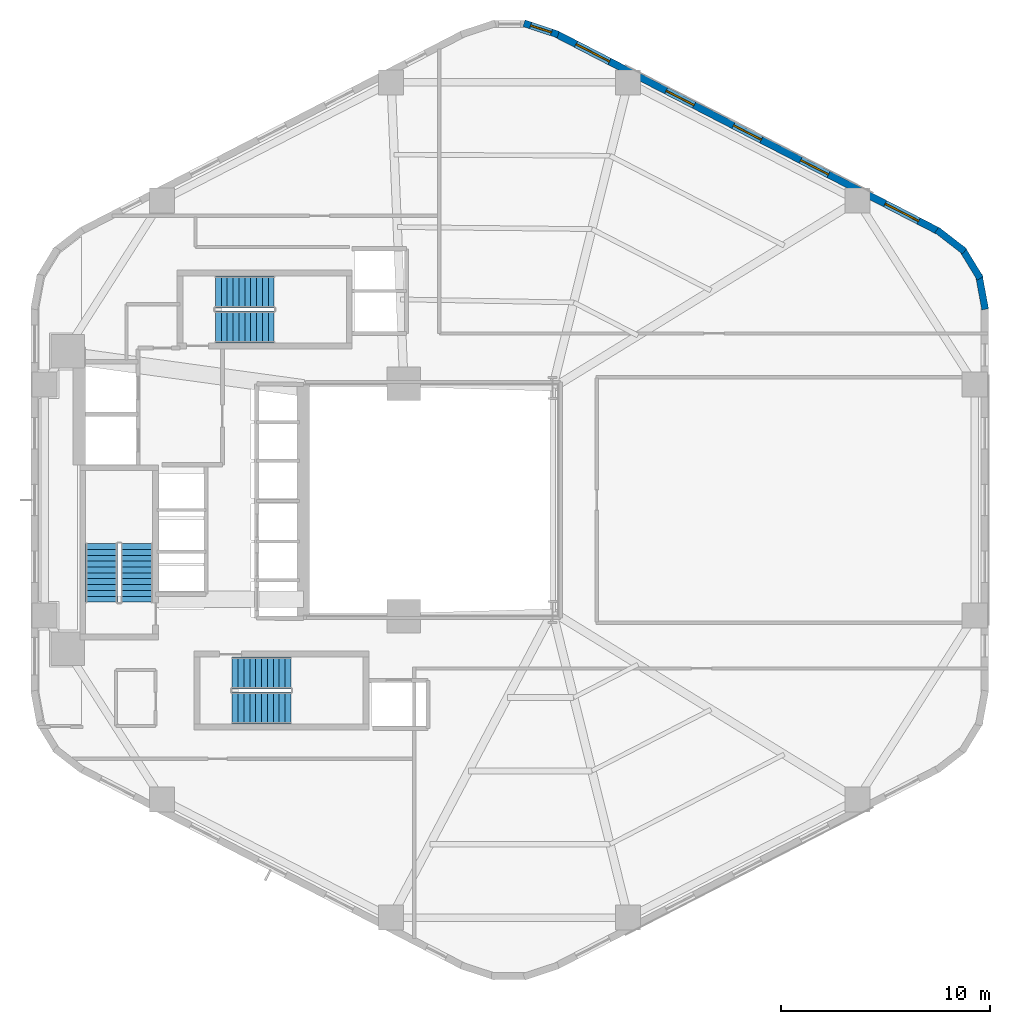
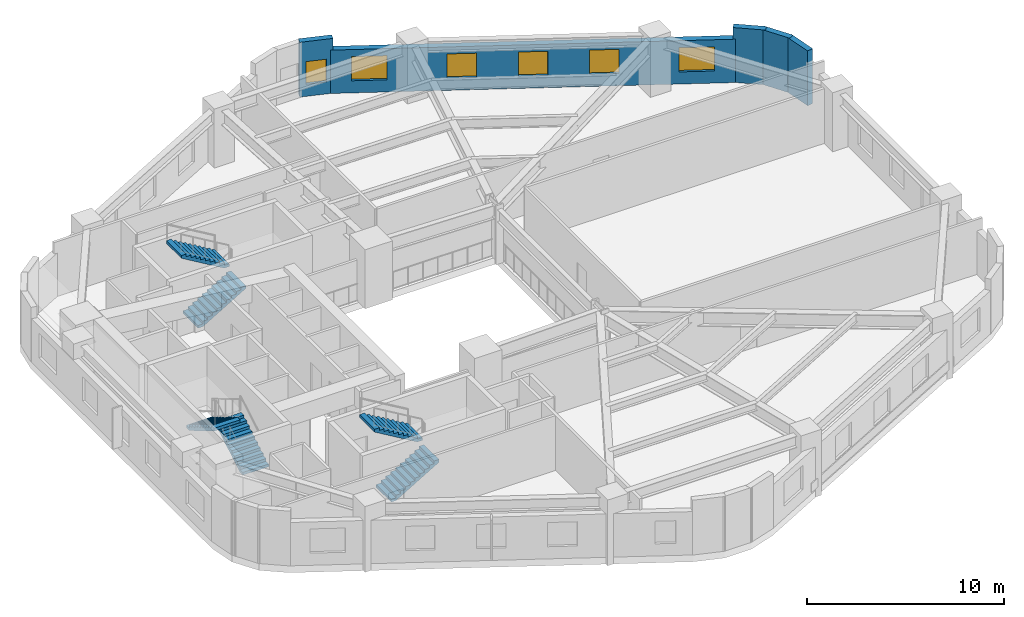
# One storey, part 5 of 7: 6 stair flights, 6 windows, 5 walls, 6 openings, 3 elements without a shape of their own.
"""IFC4 building model written with IfcOpenShell, lengths in metres."""

from ifc_helpers import new_model, si_unit, direction, frame, frame_2d, origin, place, context, subcontext, project, spatial, polyline, rectangle, outline, extrude, material, layer, layer_set, type_object, element, fill, aggregate, save


model = new_model("IFC4")

# Units and contexts
model_context = context("Model", 3, precision=1e-05, world=origin(), true_north=direction((0.0, 1.0)))
body_context = subcontext(model_context, "Body", "Model", "MODEL_VIEW")
ifc_project = project(units=[si_unit("LENGTHUNIT", "METRE"), si_unit("AREAUNIT", "SQUARE_METRE"), si_unit("VOLUMEUNIT", "CUBIC_METRE"), si_unit("PLANEANGLEUNIT", "RADIAN"), si_unit("MASSUNIT", "GRAM", prefix="KILO"), si_unit("THERMODYNAMICTEMPERATUREUNIT", "KELVIN"), si_unit("POWERUNIT", "WATT")], contexts=[model_context])

# Site, building, storey
site_placement = place(None, origin())
site = spatial("IfcSite", under=ifc_project, at=site_placement, CompositionType="ELEMENT")
building_placement = place(site_placement, origin())
building = spatial("IfcBuilding", under=site, at=building_placement, Name="Skarre Station Tower", CompositionType="ELEMENT")
storey_placement = place(building_placement, frame((0.0, 0.0, 27.0)))
storey = spatial("IfcBuildingStorey", under=building, at=storey_placement, Name="L06", CompositionType="ELEMENT", Elevation=27.0)

# Wall, openings, windows
ifc_material_1 = material(Name="Precast concrete C45/55", Category="concrete")
ifc_layer_1 = layer(ifc_material_1, 0.340087890625, Name="Precast concrete C45/55")
ifc_layer_set_1 = layer_set([ifc_layer_1], Name="Precast concrete C45/55")
wall_type_1 = type_object("IfcWallType", Name="Nordic Honed Precast Facet Wall 340", PredefinedType="STANDARD", material=ifc_layer_set_1)
wall_1_placement = place(storey_placement, frame((39.631103515625, 46.257080078125, 0.0), z_axis=(0.0, 0.0, 1.0), x_axis=(0.888634413993, -0.458616264721, 0.0)))
wall_1 = element("IfcWall", 1, at=wall_1_placement, inside=storey, type_object=wall_type_1, Name="L06 Facet 0 Nordic Precast Masonry Wall", PredefinedType="STANDARD", context=body_context, shape_type="SweptSolid", body=[
    extrude(rectangle(XDim=20.53125, YDim=0.340087890625, at=frame_2d((10.265625, 0.0))), origin(), (0.0, 0.0, 1.0), 2.68408203125),
])
opening_1_placement = place(wall_1_placement, frame((1.05810546875, 0.0, 0.75)))
opening_1 = element("IfcOpeningElement", 2, at=opening_1_placement, cuts=wall_1, Name="Opening WN-Z1A", PredefinedType="OPENING", context=body_context, shape_type="SweptSolid", body=[
    extrude(rectangle(XDim=1.800048828125, YDim=1.5, at=frame_2d((0.89990234375, 0.75))), frame((0.0, 0.179931640625, 0.0), z_axis=(0.0, -1.0, 0.0), x_axis=(1.0, 0.0, 0.0)), (0.0, 0.0, 1.0), 0.360107421875),
])
opening_2_placement = place(wall_1_placement, frame((5.903076171875, 0.0, 0.75)))
opening_2 = element("IfcOpeningElement", 3, at=opening_2_placement, cuts=wall_1, Name="Opening WN-Z1B", PredefinedType="OPENING", context=body_context, shape_type="SweptSolid", body=[
    extrude(rectangle(XDim=1.5, YDim=1.5, at=frame_2d((0.75, 0.75))), frame((0.0, 0.179931640625, 0.0), z_axis=(0.0, -1.0, 0.0), x_axis=(1.0, 0.0, 0.0)), (0.0, 0.0, 1.0), 0.360107421875),
])
opening_3_placement = place(wall_1_placement, frame((9.51611328125, 0.0, 0.75)))
opening_3 = element("IfcOpeningElement", 4, at=opening_3_placement, cuts=wall_1, Name="Opening WN-Z1B", PredefinedType="OPENING", context=body_context, shape_type="SweptSolid", body=[
    extrude(rectangle(XDim=1.5, YDim=1.5, at=frame_2d((0.75, 0.75))), frame((0.0, 0.179931640625, 0.0), z_axis=(0.0, -1.0, 0.0), x_axis=(1.0, 0.0, 0.0)), (0.0, 0.0, 1.0), 0.360107421875),
])
opening_4_placement = place(wall_1_placement, frame((13.12890625, 0.0, 0.75)))
opening_4 = element("IfcOpeningElement", 5, at=opening_4_placement, cuts=wall_1, Name="Opening WN-Z1B", PredefinedType="OPENING", context=body_context, shape_type="SweptSolid", body=[
    extrude(rectangle(XDim=1.5, YDim=1.5, at=frame_2d((0.75, 0.75))), frame((0.0, 0.179931640625, 0.0), z_axis=(0.0, -1.0, 0.0), x_axis=(1.0, 0.0, 0.0)), (0.0, 0.0, 1.0), 0.360107421875),
])
opening_5_placement = place(wall_1_placement, frame((17.673095703125, 0.0, 0.75)))
opening_5 = element("IfcOpeningElement", 6, at=opening_5_placement, cuts=wall_1, Name="Opening WN-Z1A", PredefinedType="OPENING", context=body_context, shape_type="SweptSolid", body=[
    extrude(rectangle(XDim=1.800048828125, YDim=1.5, at=frame_2d((0.89990234375, 0.75))), frame((0.0, 0.179931640625, 0.0), z_axis=(0.0, -1.0, 0.0), x_axis=(1.0, 0.0, 0.0)), (0.0, 0.0, 1.0), 0.360107421875),
])
ifc_material_2 = material(Name="Low-Iron Triple Glazing with Bronze Anodized Frame", Category="glass")
window_type_1 = type_object("IfcWindowType", Name="Nordic Punched Triple-Glazed Window 1500x1500", PartitioningType="SINGLE_PANEL", PredefinedType="WINDOW", material=ifc_material_2)
window_1_placement = place(opening_2_placement, origin())
window_1 = element("IfcWindow", 7, at=window_1_placement, inside=storey, type_object=window_type_1, Name="L06 Facade Window WL-FAC-L06-F0-2", OverallHeight=1.5, OverallWidth=1.5, PartitioningType="SINGLE_PANEL", PredefinedType="WINDOW", context=body_context, shape_type="SweptSolid", body=[
    extrude(rectangle(XDim=1.5, YDim=1.5, at=frame_2d((0.75, 0.75))), frame((0.0, 0.030029296875, 0.0), z_axis=(0.0, -1.0, 0.0), x_axis=(1.0, 0.0, 0.0)), (0.0, 0.0, 1.0), 0.06005859375),
])
fill(opening_2, window_1)
window_2_placement = place(opening_3_placement, origin())
window_2 = element("IfcWindow", 8, at=window_2_placement, inside=storey, type_object=window_type_1, Name="L06 Facade Window WL-FAC-L06-F0-3", OverallHeight=1.5, OverallWidth=1.5, PartitioningType="SINGLE_PANEL", PredefinedType="WINDOW", context=body_context, shape_type="SweptSolid", body=[
    extrude(rectangle(XDim=1.5, YDim=1.5, at=frame_2d((0.75, 0.75))), frame((0.0, 0.030029296875, 0.0), z_axis=(0.0, -1.0, 0.0), x_axis=(1.0, 0.0, 0.0)), (0.0, 0.0, 1.0), 0.06005859375),
])
fill(opening_3, window_2)
window_3_placement = place(opening_4_placement, origin())
window_3 = element("IfcWindow", 9, at=window_3_placement, inside=storey, type_object=window_type_1, Name="L06 Facade Window WL-FAC-L06-F0-4", OverallHeight=1.5, OverallWidth=1.5, PartitioningType="SINGLE_PANEL", PredefinedType="WINDOW", context=body_context, shape_type="SweptSolid", body=[
    extrude(rectangle(XDim=1.5, YDim=1.5, at=frame_2d((0.75, 0.75))), frame((0.0, 0.030029296875, 0.0), z_axis=(0.0, -1.0, 0.0), x_axis=(1.0, 0.0, 0.0)), (0.0, 0.0, 1.0), 0.06005859375),
])
fill(opening_4, window_3)
window_type_2 = type_object("IfcWindowType", Name="Nordic Punched Triple-Glazed Window 1800x1500", PartitioningType="SINGLE_PANEL", PredefinedType="WINDOW", material=ifc_material_2)
window_4_placement = place(opening_1_placement, origin())
window_4 = element("IfcWindow", 10, at=window_4_placement, inside=storey, type_object=window_type_2, Name="L06 Facade Window WL-FAC-L06-F0-1", OverallHeight=1.5, OverallWidth=1.800048828125, PartitioningType="SINGLE_PANEL", PredefinedType="WINDOW", context=body_context, shape_type="SweptSolid", body=[
    extrude(rectangle(XDim=1.800048828125, YDim=1.5, at=frame_2d((0.89990234375, 0.75))), frame((0.0, 0.030029296875, 0.0), z_axis=(0.0, -1.0, 0.0), x_axis=(1.0, 0.0, 0.0)), (0.0, 0.0, 1.0), 0.06005859375),
])
fill(opening_1, window_4)
window_5_placement = place(opening_5_placement, origin())
window_5 = element("IfcWindow", 11, at=window_5_placement, inside=storey, type_object=window_type_2, Name="L06 Facade Window WL-FAC-L06-F0-5", OverallHeight=1.5, OverallWidth=1.800048828125, PartitioningType="SINGLE_PANEL", PredefinedType="WINDOW", context=body_context, shape_type="SweptSolid", body=[
    extrude(rectangle(XDim=1.800048828125, YDim=1.5, at=frame_2d((0.89990234375, 0.75))), frame((0.0, 0.030029296875, 0.0), z_axis=(0.0, -1.0, 0.0), x_axis=(1.0, 0.0, 0.0)), (0.0, 0.0, 1.0), 0.06005859375),
])
fill(opening_5, window_5)

# Walls
ifc_layer_2 = layer(ifc_material_1, 0.330078125, Name="Precast concrete C45/55")
ifc_layer_set_2 = layer_set([ifc_layer_2], Name="Precast concrete C45/55")
wall_type_2 = type_object("IfcWallType", Name="Nordic Rounded Corner Precast Wall 330", PredefinedType="STANDARD", material=ifc_layer_set_2)
wall_2_placement = place(storey_placement, frame((57.802001953125, 36.90087890625, 0.0), z_axis=(0.0, 0.0, 1.0), x_axis=(0.790691856293, -0.61221433207, 0.0)))
element("IfcWall", 12, at=wall_2_placement, inside=storey, type_object=wall_type_2, Name="L06 Rounded Corner Precast Wall F0-1", PredefinedType="STANDARD", context=body_context, shape_type="SweptSolid", body=[
    extrude(rectangle(XDim=1.67578125, YDim=0.330078125, at=frame_2d((0.837890625, 0.0))), origin(), (0.0, 0.0, 1.0), 3.389892578125),
])
wall_3_placement = place(storey_placement, frame((59.001953125, 36.014892578125, 0.0), z_axis=(0.0, 0.0, 1.0), x_axis=(0.520584129191, -0.853810379671, 0.0)))
element("IfcWall", 13, at=wall_3_placement, inside=storey, type_object=wall_type_2, Name="L06 Rounded Corner Precast Wall F0-2", PredefinedType="STANDARD", context=body_context, shape_type="SweptSolid", body=[
    extrude(rectangle(XDim=1.677001953125, YDim=0.330078125, at=frame_2d((0.83837890625, 0.0))), origin(), (0.0, 0.0, 1.0), 3.389892578125),
])
wall_4_placement = place(storey_placement, frame((59.80810546875, 34.758056640625, 0.0), z_axis=(0.0, 0.0, 1.0), x_axis=(0.181714143354, -0.983351397063, 0.0)))
element("IfcWall", 14, at=wall_4_placement, inside=storey, type_object=wall_type_2, Name="L06 Rounded Corner Precast Wall F0-3", PredefinedType="STANDARD", context=body_context, shape_type="SweptSolid", body=[
    extrude(rectangle(XDim=1.677978515625, YDim=0.330078125, at=frame_2d((0.8388671875, 0.0))), origin(), (0.0, 0.0, 1.0), 3.389892578125),
])

# Wall, opening, window
wall_5_placement = place(storey_placement, frame((38.0830078125, 46.77001953125, 0.0), z_axis=(0.0, 0.0, 1.0), x_axis=(0.94976901097, -0.312951794691, 0.0)))
wall_5 = element("IfcWall", 15, at=wall_5_placement, inside=storey, type_object=wall_type_2, Name="L06 Rounded Corner Precast Wall F1-3", PredefinedType="STANDARD", context=body_context, shape_type="SweptSolid", body=[
    extrude(rectangle(XDim=1.722412109375, YDim=0.330078125, at=frame_2d((0.861328125, 0.0))), origin(), (0.0, 0.0, 1.0), 3.389892578125),
])
opening_6_placement = place(wall_5_placement, frame((0.3359375, 0.0, 0.75)))
opening_6 = element("IfcOpeningElement", 16, at=opening_6_placement, cuts=wall_5, Name="Opening WN-SLT", PredefinedType="OPENING", context=body_context, shape_type="SweptSolid", body=[
    extrude(rectangle(XDim=1.050048828125, YDim=1.39990234375, at=frame_2d((0.52490234375, 0.699951171875))), frame((0.0, 0.175048828125, 0.0), z_axis=(0.0, -1.0, 0.0), x_axis=(1.0, 0.0, 0.0)), (0.0, 0.0, 1.0), 0.35009765625),
])
window_type_3 = type_object("IfcWindowType", Name="Nordic Corner Slot Window 1050x1400", PartitioningType="SINGLE_PANEL", PredefinedType="WINDOW", material=ifc_material_2)
window_6_placement = place(opening_6_placement, origin())
window_6 = element("IfcWindow", 17, at=window_6_placement, inside=storey, type_object=window_type_3, Name="L06 Apex Corner Slot Window F1-3", OverallHeight=1.39990234375, OverallWidth=1.050048828125, PartitioningType="SINGLE_PANEL", PredefinedType="WINDOW", context=body_context, shape_type="SweptSolid", body=[
    extrude(rectangle(XDim=1.050048828125, YDim=1.39990234375, at=frame_2d((0.52490234375, 0.699951171875))), frame((0.0, 0.030029296875, 0.0), z_axis=(0.0, -1.0, 0.0), x_axis=(1.0, 0.0, 0.0)), (0.0, 0.0, 1.0), 0.06005859375),
])
fill(opening_6, window_6)

# Stair, stair flights
ifc_material_3 = material(Name="Concrete C40/50", Category="concrete")
stair_type_1 = type_object("IfcStairType", Name="Reinforced Concrete Exit Stair ST-1", PredefinedType="HALF_TURN_STAIR", material=ifc_material_3)
stair_1_placement = place(storey_placement, origin())
stair_1 = element("IfcStair", 18, at=stair_1_placement, inside=storey, type_object=stair_type_1, Name="L06 Core Exit Stair ST-1", PredefinedType="HALF_TURN_STAIR")
stair_flight_type_1 = type_object("IfcStairFlightType", Name="Reinforced Concrete Stair Flight ST-1", PredefinedType="STRAIGHT", material=ifc_material_3)
stair_flight_1_placement = place(storey_placement, frame((19.590087890625, 19.1201171875, 0.0), z_axis=(0.0, 0.0, 1.0), x_axis=(0.0, 1.0, 0.0)))
stair_flight_1 = element("IfcStairFlight", 19, at=stair_flight_1_placement, type_object=stair_flight_type_1, Name="ST-1 flight 1", NumberOfRisers=11, NumberOfTreads=10, PredefinedType="STRAIGHT", RiserHeight=0.165909091, TreadLength=0.28, context=body_context, shape_type="SweptSolid", body=[
    extrude(outline(polyline([(0.0, 0.0), (0.0, 0.166015625), (0.280029296875, 0.166015625), (0.280029296875, 0.331787109375), (0.56005859375, 0.331787109375), (0.56005859375, 0.497802734375), (0.840087890625, 0.497802734375), (0.840087890625, 0.66357421875), (1.1201171875, 0.66357421875), (1.1201171875, 0.82958984375), (1.39990234375, 0.82958984375), (1.39990234375, 0.995361328125), (1.679931640625, 0.995361328125), (1.679931640625, 1.161376953125), (1.9599609375, 1.161376953125), (1.9599609375, 1.327392578125), (2.239990234375, 1.327392578125), (2.239990234375, 1.4931640625), (2.52001953125, 1.4931640625), (2.52001953125, 1.6591796875), (2.800048828125, 1.6591796875), (2.800048828125, 1.824951171875), (2.800048828125, 1.48486328125), (0.2939453125, 0.0), (0.0, 0.0)])), frame((0.0, 0.760009765625, 0.0), z_axis=(0.0, -1.0, 0.0), x_axis=(1.0, 0.0, 0.0)), (0.0, 0.0, 1.0), 1.52001953125),
])
stair_flight_2_placement = place(storey_placement, frame((17.909912109375, 21.919921875, 1.824951171875), z_axis=(0.0, 0.0, 1.0), x_axis=(0.0, -1.0, 0.0)))
stair_flight_2 = element("IfcStairFlight", 20, at=stair_flight_2_placement, type_object=stair_flight_type_1, Name="ST-1 flight 2", NumberOfRisers=11, NumberOfTreads=10, PredefinedType="STRAIGHT", RiserHeight=0.165909091, TreadLength=0.28, context=body_context, shape_type="SweptSolid", body=[
    extrude(outline(polyline([(0.0, 0.0), (0.0, 0.166015625), (0.280029296875, 0.166015625), (0.280029296875, 0.331787109375), (0.56005859375, 0.331787109375), (0.56005859375, 0.497802734375), (0.840087890625, 0.497802734375), (0.840087890625, 0.66357421875), (1.1201171875, 0.66357421875), (1.1201171875, 0.82958984375), (1.39990234375, 0.82958984375), (1.39990234375, 0.995361328125), (1.679931640625, 0.995361328125), (1.679931640625, 1.161376953125), (1.9599609375, 1.161376953125), (1.9599609375, 1.327392578125), (2.239990234375, 1.327392578125), (2.239990234375, 1.4931640625), (2.52001953125, 1.4931640625), (2.52001953125, 1.6591796875), (2.800048828125, 1.6591796875), (2.800048828125, 1.824951171875), (2.800048828125, 1.48486328125), (0.2939453125, 0.0), (0.0, 0.0)])), frame((0.0, 0.760009765625, 0.0), z_axis=(0.0, -1.0, 0.0), x_axis=(1.0, 0.0, 0.0)), (0.0, 0.0, 1.0), 1.52001953125),
])
aggregate(stair_1, [stair_flight_1, stair_flight_2])

stair_type_2 = type_object("IfcStairType", Name="Reinforced Concrete Exit Stair ST-2", PredefinedType="HALF_TURN_STAIR", material=ifc_material_3)
stair_2_placement = place(storey_placement, origin())
stair_2 = element("IfcStair", 21, at=stair_2_placement, inside=storey, type_object=stair_type_2, Name="L06 Core Exit Stair ST-2", PredefinedType="HALF_TURN_STAIR")
stair_flight_type_2 = type_object("IfcStairFlightType", Name="Reinforced Concrete Stair Flight ST-2", PredefinedType="STRAIGHT", material=ifc_material_3)
stair_flight_3_placement = place(storey_placement, frame((24.14990234375, 14.06005859375, 0.0), z_axis=(0.0, 0.0, 1.0), x_axis=(1.0, 0.0, 0.0)))
stair_flight_3 = element("IfcStairFlight", 22, at=stair_flight_3_placement, type_object=stair_flight_type_2, Name="ST-2 flight 1", NumberOfRisers=11, NumberOfTreads=10, PredefinedType="STRAIGHT", RiserHeight=0.165909091, TreadLength=0.28, context=body_context, shape_type="SweptSolid", body=[
    extrude(outline(polyline([(0.0, 0.0), (0.0, 0.166015625), (0.280029296875, 0.166015625), (0.280029296875, 0.331787109375), (0.56005859375, 0.331787109375), (0.56005859375, 0.497802734375), (0.840087890625, 0.497802734375), (0.840087890625, 0.66357421875), (1.1201171875, 0.66357421875), (1.1201171875, 0.82958984375), (1.39990234375, 0.82958984375), (1.39990234375, 0.995361328125), (1.679931640625, 0.995361328125), (1.679931640625, 1.161376953125), (1.9599609375, 1.161376953125), (1.9599609375, 1.327392578125), (2.239990234375, 1.327392578125), (2.239990234375, 1.4931640625), (2.52001953125, 1.4931640625), (2.52001953125, 1.6591796875), (2.800048828125, 1.6591796875), (2.800048828125, 1.824951171875), (2.800048828125, 1.48486328125), (0.2939453125, 0.0), (0.0, 0.0)])), frame((0.0, 0.760009765625, 0.0), z_axis=(0.0, -1.0, 0.0), x_axis=(1.0, 0.0, 0.0)), (0.0, 0.0, 1.0), 1.52001953125),
])
stair_flight_4_placement = place(storey_placement, frame((26.949951171875, 15.739990234375, 1.824951171875), z_axis=(0.0, 0.0, 1.0), x_axis=(-1.0, 0.0, 0.0)))
stair_flight_4 = element("IfcStairFlight", 23, at=stair_flight_4_placement, type_object=stair_flight_type_2, Name="ST-2 flight 2", NumberOfRisers=11, NumberOfTreads=10, PredefinedType="STRAIGHT", RiserHeight=0.165909091, TreadLength=0.28, context=body_context, shape_type="SweptSolid", body=[
    extrude(outline(polyline([(0.0, 0.0), (0.0, 0.166015625), (0.280029296875, 0.166015625), (0.280029296875, 0.331787109375), (0.56005859375, 0.331787109375), (0.56005859375, 0.497802734375), (0.840087890625, 0.497802734375), (0.840087890625, 0.66357421875), (1.1201171875, 0.66357421875), (1.1201171875, 0.82958984375), (1.39990234375, 0.82958984375), (1.39990234375, 0.995361328125), (1.679931640625, 0.995361328125), (1.679931640625, 1.161376953125), (1.9599609375, 1.161376953125), (1.9599609375, 1.327392578125), (2.239990234375, 1.327392578125), (2.239990234375, 1.4931640625), (2.52001953125, 1.4931640625), (2.52001953125, 1.6591796875), (2.800048828125, 1.6591796875), (2.800048828125, 1.824951171875), (2.800048828125, 1.48486328125), (0.2939453125, 0.0), (0.0, 0.0)])), frame((0.0, 0.760009765625, 0.0), z_axis=(0.0, -1.0, 0.0), x_axis=(1.0, 0.0, 0.0)), (0.0, 0.0, 1.0), 1.52001953125),
])
aggregate(stair_2, [stair_flight_3, stair_flight_4])

stair_type_3 = type_object("IfcStairType", Name="Reinforced Concrete Exit Stair ST-3", PredefinedType="HALF_TURN_STAIR", material=ifc_material_3)
stair_3_placement = place(storey_placement, origin())
stair_3 = element("IfcStair", 24, at=stair_3_placement, inside=storey, type_object=stair_type_3, Name="L06 Core Exit Stair ST-3", PredefinedType="HALF_TURN_STAIR")
stair_flight_type_3 = type_object("IfcStairFlightType", Name="Reinforced Concrete Stair Flight ST-3", PredefinedType="STRAIGHT", material=ifc_material_3)
stair_flight_5_placement = place(storey_placement, frame((23.35009765625, 32.260009765625, 0.0), z_axis=(0.0, 0.0, 1.0), x_axis=(1.0, 0.0, 0.0)))
stair_flight_5 = element("IfcStairFlight", 25, at=stair_flight_5_placement, type_object=stair_flight_type_3, Name="ST-3 flight 1", NumberOfRisers=11, NumberOfTreads=10, PredefinedType="STRAIGHT", RiserHeight=0.165909091, TreadLength=0.28, context=body_context, shape_type="SweptSolid", body=[
    extrude(outline(polyline([(0.0, 0.0), (0.0, 0.166015625), (0.280029296875, 0.166015625), (0.280029296875, 0.331787109375), (0.56005859375, 0.331787109375), (0.56005859375, 0.497802734375), (0.840087890625, 0.497802734375), (0.840087890625, 0.66357421875), (1.1201171875, 0.66357421875), (1.1201171875, 0.82958984375), (1.39990234375, 0.82958984375), (1.39990234375, 0.995361328125), (1.679931640625, 0.995361328125), (1.679931640625, 1.161376953125), (1.9599609375, 1.161376953125), (1.9599609375, 1.327392578125), (2.239990234375, 1.327392578125), (2.239990234375, 1.4931640625), (2.52001953125, 1.4931640625), (2.52001953125, 1.6591796875), (2.800048828125, 1.6591796875), (2.800048828125, 1.824951171875), (2.800048828125, 1.48486328125), (0.2939453125, 0.0), (0.0, 0.0)])), frame((0.0, 0.760009765625, 0.0), z_axis=(0.0, -1.0, 0.0), x_axis=(1.0, 0.0, 0.0)), (0.0, 0.0, 1.0), 1.52001953125),
])
stair_flight_6_placement = place(storey_placement, frame((26.14990234375, 33.93994140625, 1.824951171875), z_axis=(0.0, 0.0, 1.0), x_axis=(-1.0, 0.0, 0.0)))
stair_flight_6 = element("IfcStairFlight", 26, at=stair_flight_6_placement, type_object=stair_flight_type_3, Name="ST-3 flight 2", NumberOfRisers=11, NumberOfTreads=10, PredefinedType="STRAIGHT", RiserHeight=0.165909091, TreadLength=0.28, context=body_context, shape_type="SweptSolid", body=[
    extrude(outline(polyline([(0.0, 0.0), (0.0, 0.166015625), (0.280029296875, 0.166015625), (0.280029296875, 0.331787109375), (0.56005859375, 0.331787109375), (0.56005859375, 0.497802734375), (0.840087890625, 0.497802734375), (0.840087890625, 0.66357421875), (1.1201171875, 0.66357421875), (1.1201171875, 0.82958984375), (1.39990234375, 0.82958984375), (1.39990234375, 0.995361328125), (1.679931640625, 0.995361328125), (1.679931640625, 1.161376953125), (1.9599609375, 1.161376953125), (1.9599609375, 1.327392578125), (2.239990234375, 1.327392578125), (2.239990234375, 1.4931640625), (2.52001953125, 1.4931640625), (2.52001953125, 1.6591796875), (2.800048828125, 1.6591796875), (2.800048828125, 1.824951171875), (2.800048828125, 1.48486328125), (0.2939453125, 0.0), (0.0, 0.0)])), frame((0.0, 0.760009765625, 0.0), z_axis=(0.0, -1.0, 0.0), x_axis=(1.0, 0.0, 0.0)), (0.0, 0.0, 1.0), 1.52001953125),
])
aggregate(stair_3, [stair_flight_5, stair_flight_6])

save(model, "model.ifc")
